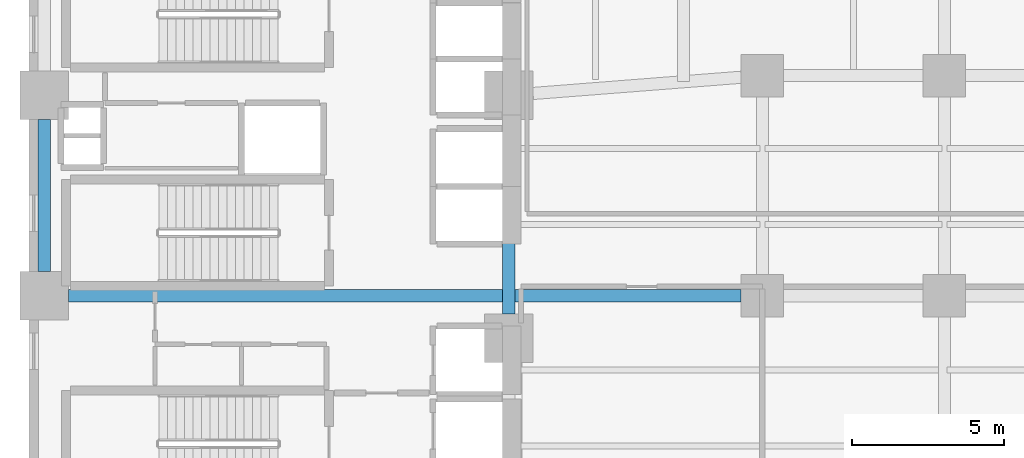
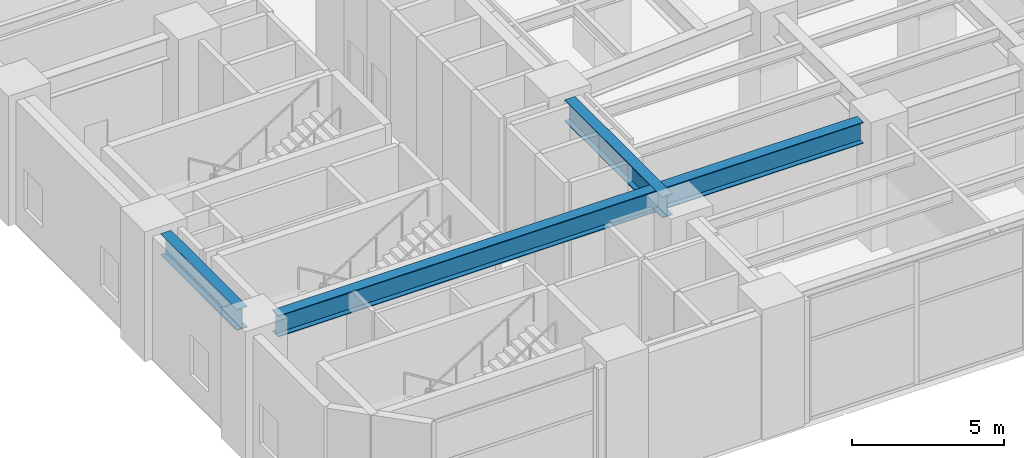
# One storey, part 3 of 29: 3 beams.
"""IFC4 building model written with IfcOpenShell, lengths in metres."""

from ifc_helpers import new_model, si_unit, direction, frame, origin, origin_2d, place, context, subcontext, project, spatial, i_section, extrude, material, material_profile, profile_set, type_object, element, save


model = new_model("IFC4")

# Units and contexts
model_context = context("Model", 3, precision=1e-05, world=origin(), true_north=direction((0.0, 1.0)))
body_context = subcontext(model_context, "Body", "Model", "MODEL_VIEW")
ifc_project = project(units=[si_unit("LENGTHUNIT", "METRE"), si_unit("AREAUNIT", "SQUARE_METRE"), si_unit("VOLUMEUNIT", "CUBIC_METRE"), si_unit("PLANEANGLEUNIT", "RADIAN"), si_unit("MASSUNIT", "GRAM", prefix="KILO")], contexts=[model_context])

# Site, building, storey
site_placement = place(None, origin())
site = spatial("IfcSite", under=ifc_project, at=site_placement, CompositionType="ELEMENT")
building_placement = place(site_placement, origin())
building = spatial("IfcBuilding", under=site, at=building_placement, Name="Mawjaban Terraces University", CompositionType="ELEMENT")
storey_placement = place(building_placement, frame((0.0, 0.0, 15.60009765625)))
storey = spatial("IfcBuildingStorey", under=building, at=storey_placement, Name="L03", CompositionType="ELEMENT", Elevation=15.60009765625)

# Beams
ifc_material = material(Name="Steel ASTM A572 Grade 50", Category="steel")
ifc_material_profile = material_profile(ifc_material, i_section(OverallWidth=0.39990234375, OverallDepth=0.85498046875, WebThickness=0.018310546875, FlangeThickness=0.029296875, at=origin_2d()), Name="W840X299")
ifc_profile_set = profile_set([ifc_material_profile], Name="Steel ASTM A572 Grade 50")
beam_type = type_object("IfcBeamType", Name="Beam_B_W840X299", PredefinedType="BEAM", material=ifc_profile_set)
beam_1_placement = place(storey_placement, frame((23.14990234375, 7.949951171875, 4.492919921875), z_axis=(1.0, 0.0, 0.0), x_axis=(0.0, 1.0, 0.0)))
element("IfcBeam", 1, at=beam_1_placement, inside=storey, type_object=beam_type, Name="L03 Beam BM-L03-EW-04", PredefinedType="BEAM", context=body_context, shape_type="SweptSolid", body=[
    extrude(i_section(OverallWidth=0.39990234375, OverallDepth=0.85498046875, WebThickness=0.018310546875, FlangeThickness=0.029296875, at=origin_2d()), origin(), (0.0, 0.0, 1.0), 22.150146484375),
])
beam_2_placement = place(storey_placement, frame((22.35009765625, 8.75, 4.492919921875), z_axis=(0.0, 1.0, 0.0), x_axis=(-1.0, 0.0, 0.0)))
element("IfcBeam", 2, at=beam_2_placement, inside=storey, type_object=beam_type, Name="L03 Beam BM-L03-NS-01", PredefinedType="BEAM", context=body_context, shape_type="SweptSolid", body=[
    extrude(i_section(OverallWidth=0.39990234375, OverallDepth=0.85498046875, WebThickness=0.018310546875, FlangeThickness=0.029296875, at=origin_2d()), origin(), (0.0, 0.0, 1.0), 5.0),
])
beam_3_placement = place(storey_placement, frame((37.64990234375, 7.35009765625, 4.492919921875), z_axis=(0.0, 1.0, 0.0), x_axis=(-1.0, 0.0, 0.0)))
element("IfcBeam", 3, at=beam_3_placement, inside=storey, type_object=beam_type, Name="L03 Beam BM-L03-NS-06", PredefinedType="BEAM", context=body_context, shape_type="SweptSolid", body=[
    extrude(i_section(OverallWidth=0.39990234375, OverallDepth=0.85498046875, WebThickness=0.018310546875, FlangeThickness=0.029296875, at=origin_2d()), origin(), (0.0, 0.0, 1.0), 6.39990234375),
])

save(model, "model.ifc")
